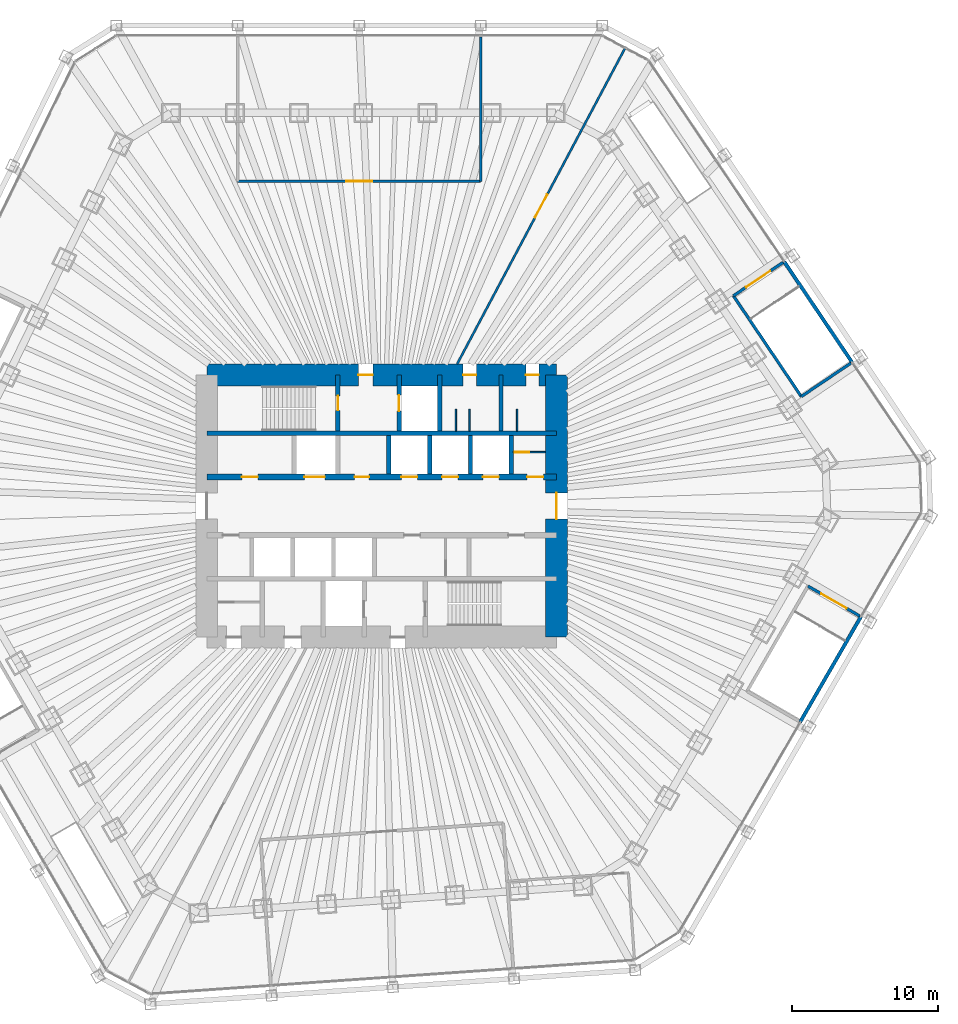
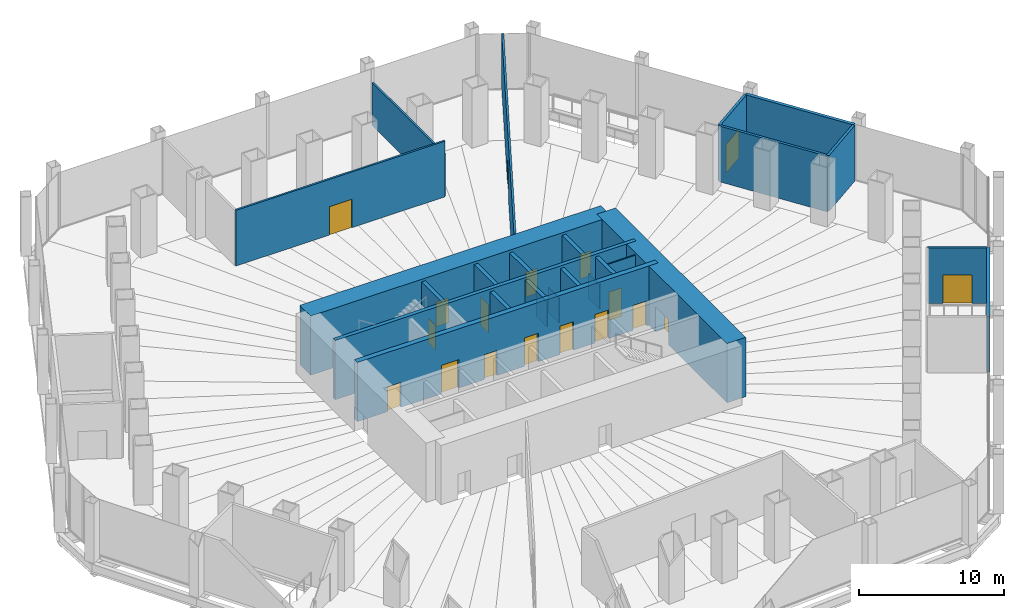
# One storey, part 16 of 18: 25 walls, 18 doors, 18 openings.
"""IFC4 building model written with IfcOpenShell, lengths in metres."""

from ifc_helpers import new_model, si_unit, direction, frame, frame_2d, origin, place, context, subcontext, project, spatial, rectangle, extrude, material, layer, layer_set, type_object, element, fill, save


model = new_model("IFC4")

# Units and contexts
model_context = context("Model", 3, precision=1e-05, world=origin(), true_north=direction((0.0, 1.0)))
body_context = subcontext(model_context, "Body", "Model", "MODEL_VIEW")
ifc_project = project(units=[si_unit("LENGTHUNIT", "METRE"), si_unit("AREAUNIT", "SQUARE_METRE"), si_unit("VOLUMEUNIT", "CUBIC_METRE"), si_unit("PLANEANGLEUNIT", "RADIAN"), si_unit("MASSUNIT", "GRAM", prefix="KILO")], contexts=[model_context])

# Site, building, storey
site_placement = place(None, origin())
site = spatial("IfcSite", under=ifc_project, at=site_placement, CompositionType="ELEMENT")
building_placement = place(site_placement, origin())
building = spatial("IfcBuilding", under=site, at=building_placement, Name="Qingtian Harvest Tower", CompositionType="ELEMENT")
storey_placement = place(building_placement, frame((0.0, 0.0, 12.0)))
storey = spatial("IfcBuildingStorey", under=building, at=storey_placement, Name="L02", CompositionType="ELEMENT", Elevation=12.0)

# Wall
ifc_material_1 = material(Name="Concrete fc' 70 MPa", Category="concrete")
ifc_layer_1 = layer(ifc_material_1, 0.300048828125)
ifc_layer_set_1 = layer_set([ifc_layer_1], Name="Core inner wall RC5 300")
wall_type_1 = type_object("IfcWallType", Name="Core inner wall RC5 300", PredefinedType="SHEAR", material=ifc_layer_set_1)
wall_1_placement = place(storey_placement, frame((-12.0, 5.0, 0.0), z_axis=(0.0, 0.0, 1.0), x_axis=(1.0, 0.0, 0.0)))
element("IfcWall", 1, at=wall_1_placement, inside=storey, type_object=wall_type_1, Name="Core wall IN5 L02", PredefinedType="SHEAR", context=body_context, shape_type="SweptSolid", body=[
    extrude(rectangle(XDim=24.0, YDim=0.300048828125, at=frame_2d((12.0, 0.0))), origin(), (0.0, 0.0, 1.0), 5.0),
])

# Wall, openings, doors
ifc_material_2 = material(Name="Concrete fc' 70 MPa", Category="concrete")
ifc_layer_2 = layer(ifc_material_2, 0.39990234375)
ifc_layer_set_2 = layer_set([ifc_layer_2], Name="Core inner web RC6 400")
wall_type_2 = type_object("IfcWallType", Name="Core inner web RC6 400", PredefinedType="SHEAR", material=ifc_layer_set_2)
wall_2_placement = place(storey_placement, frame((-12.0, 2.0, 0.0), z_axis=(0.0, 0.0, 1.0), x_axis=(1.0, 0.0, 0.0)))
wall_2 = element("IfcWall", 2, at=wall_2_placement, inside=storey, type_object=wall_type_2, Name="Core wall IN2 L02", PredefinedType="SHEAR", context=body_context, shape_type="SweptSolid", body=[
    extrude(rectangle(XDim=24.0, YDim=0.39990234375, at=frame_2d((12.0, 0.0))), origin(), (0.0, 0.0, 1.0), 5.0),
])
opening_1_placement = place(wall_2_placement, frame((2.39990234375, 0.0, 0.0)))
opening_1 = element("IfcOpeningElement", 3, at=opening_1_placement, cuts=wall_2, Name="Opening FD4", PredefinedType="OPENING", context=body_context, shape_type="SweptSolid", body=[
    extrude(rectangle(XDim=1.10009765625, YDim=2.10009765625, at=frame_2d((0.550048828125, 1.050048828125))), frame((0.0, 0.2099609375, 0.0), z_axis=(0.0, -1.0, 0.0), x_axis=(1.0, 0.0, 0.0)), (0.0, 0.0, 1.0), 0.419921875),
])
opening_2_placement = place(wall_2_placement, frame((22.0, 0.0, 0.0)))
opening_2 = element("IfcOpeningElement", 4, at=opening_2_placement, cuts=wall_2, Name="Opening FD4", PredefinedType="OPENING", context=body_context, shape_type="SweptSolid", body=[
    extrude(rectangle(XDim=1.10009765625, YDim=2.10009765625, at=frame_2d((0.550048828125, 1.050048828125))), frame((0.0, 0.2099609375, 0.0), z_axis=(0.0, -1.0, 0.0), x_axis=(1.0, 0.0, 0.0)), (0.0, 0.0, 1.0), 0.419921875),
])
opening_3_placement = place(wall_2_placement, frame((10.14990234375, 0.0, 0.0)))
opening_3 = element("IfcOpeningElement", 5, at=opening_3_placement, cuts=wall_2, Name="Opening FD1", PredefinedType="OPENING", context=body_context, shape_type="SweptSolid", body=[
    extrude(rectangle(XDim=1.0, YDim=2.10009765625, at=frame_2d((0.5, 1.050048828125))), frame((0.0, 0.2099609375, 0.0), z_axis=(0.0, -1.0, 0.0), x_axis=(1.0, 0.0, 0.0)), (0.0, 0.0, 1.0), 0.419921875),
])
opening_4_placement = place(wall_2_placement, frame((6.699951171875, 0.0, 0.0)))
opening_4 = element("IfcOpeningElement", 6, at=opening_4_placement, cuts=wall_2, Name="Opening LD2", PredefinedType="OPENING", context=body_context, shape_type="SweptSolid", body=[
    extrude(rectangle(XDim=1.39990234375, YDim=2.39990234375, at=frame_2d((0.699951171875, 1.199951171875))), frame((0.0, 0.2099609375, 0.0), z_axis=(0.0, -1.0, 0.0), x_axis=(1.0, 0.0, 0.0)), (0.0, 0.0, 1.0), 0.419921875),
])
opening_5_placement = place(wall_2_placement, frame((13.35009765625, 0.0, 0.0)))
opening_5 = element("IfcOpeningElement", 7, at=opening_5_placement, cuts=wall_2, Name="Opening LD1", PredefinedType="OPENING", context=body_context, shape_type="SweptSolid", body=[
    extrude(rectangle(XDim=1.10009765625, YDim=2.39990234375, at=frame_2d((0.550048828125, 1.199951171875))), frame((0.0, 0.2099609375, 0.0), z_axis=(0.0, -1.0, 0.0), x_axis=(1.0, 0.0, 0.0)), (0.0, 0.0, 1.0), 0.419921875),
])
opening_6_placement = place(wall_2_placement, frame((16.14990234375, 0.0, 0.0)))
opening_6 = element("IfcOpeningElement", 8, at=opening_6_placement, cuts=wall_2, Name="Opening LD1", PredefinedType="OPENING", context=body_context, shape_type="SweptSolid", body=[
    extrude(rectangle(XDim=1.10009765625, YDim=2.39990234375, at=frame_2d((0.550048828125, 1.199951171875))), frame((0.0, 0.2099609375, 0.0), z_axis=(0.0, -1.0, 0.0), x_axis=(1.0, 0.0, 0.0)), (0.0, 0.0, 1.0), 0.419921875),
])
opening_7_placement = place(wall_2_placement, frame((18.949951171875, 0.0, 0.0)))
opening_7 = element("IfcOpeningElement", 9, at=opening_7_placement, cuts=wall_2, Name="Opening LD1", PredefinedType="OPENING", context=body_context, shape_type="SweptSolid", body=[
    extrude(rectangle(XDim=1.10009765625, YDim=2.39990234375, at=frame_2d((0.550048828125, 1.199951171875))), frame((0.0, 0.2099609375, 0.0), z_axis=(0.0, -1.0, 0.0), x_axis=(1.0, 0.0, 0.0)), (0.0, 0.0, 1.0), 0.419921875),
])
ifc_material_3 = material(Name="Steel-faced door leaf", Category="steel")
door_type_1 = type_object("IfcDoorType", Name="Fire door FD1 single 1 HR", OperationType="SINGLE_SWING_LEFT", PredefinedType="DOOR", material=ifc_material_3)
door_1_placement = place(opening_3_placement, origin())
door_1 = element("IfcDoor", 10, at=door_1_placement, inside=storey, type_object=door_type_1, Name="STA door L02", OperationType="SINGLE_SWING_LEFT", OverallHeight=2.10009765625, OverallWidth=1.0, PredefinedType="DOOR", context=body_context, shape_type="SweptSolid", body=[
    extrude(rectangle(XDim=1.0, YDim=2.10009765625, at=frame_2d((0.5, 1.050048828125))), frame((0.0, 0.02490234375, 0.0), z_axis=(0.0, -1.0, 0.0), x_axis=(1.0, 0.0, 0.0)), (0.0, 0.0, 1.0), 0.050048828125),
])
fill(opening_3, door_1)
ifc_material_4 = material(Name="Steel-faced door leaf", Category="steel")
door_type_2 = type_object("IfcDoorType", Name="Fire door FD4 single 2 HR", OperationType="SINGLE_SWING_LEFT", PredefinedType="DOOR", material=ifc_material_4)
door_2_placement = place(opening_1_placement, origin())
door_2 = element("IfcDoor", 11, at=door_2_placement, inside=storey, type_object=door_type_2, Name="RA door L02", OperationType="SINGLE_SWING_LEFT", OverallHeight=2.10009765625, OverallWidth=1.10009765625, PredefinedType="DOOR", context=body_context, shape_type="SweptSolid", body=[
    extrude(rectangle(XDim=1.10009765625, YDim=2.10009765625, at=frame_2d((0.550048828125, 1.050048828125))), frame((0.0, 0.02490234375, 0.0), z_axis=(0.0, -1.0, 0.0), x_axis=(1.0, 0.0, 0.0)), (0.0, 0.0, 1.0), 0.050048828125),
])
fill(opening_1, door_2)
door_3_placement = place(opening_2_placement, origin())
door_3 = element("IfcDoor", 12, at=door_3_placement, inside=storey, type_object=door_type_2, Name="AHU door L02", OperationType="SINGLE_SWING_RIGHT", OverallHeight=2.10009765625, OverallWidth=1.10009765625, PredefinedType="DOOR", context=body_context, shape_type="SweptSolid", body=[
    extrude(rectangle(XDim=1.10009765625, YDim=2.10009765625, at=frame_2d((0.550048828125, 1.050048828125))), frame((0.0, 0.02490234375, 0.0), z_axis=(0.0, -1.0, 0.0), x_axis=(1.0, 0.0, 0.0)), (0.0, 0.0, 1.0), 0.050048828125),
])
fill(opening_2, door_3)
ifc_material_5 = material(Name="Stainless steel lift landing door", Category="steel")
door_type_3 = type_object("IfcDoorType", Name="Goods lift landing door LD2 1 HR", OperationType="DOUBLE_DOOR_SLIDING", PredefinedType="DOOR", material=ifc_material_5)
door_4_placement = place(opening_4_placement, origin())
door_4 = element("IfcDoor", 13, at=door_4_placement, inside=storey, type_object=door_type_3, Name="GL1 landing door L02", OperationType="DOUBLE_DOOR_SLIDING", OverallHeight=2.39990234375, OverallWidth=1.39990234375, PredefinedType="DOOR", context=body_context, shape_type="SweptSolid", body=[
    extrude(rectangle(XDim=1.39990234375, YDim=2.39990234375, at=frame_2d((0.699951171875, 1.199951171875))), frame((0.0, 0.02490234375, 0.0), z_axis=(0.0, -1.0, 0.0), x_axis=(1.0, 0.0, 0.0)), (0.0, 0.0, 1.0), 0.050048828125),
])
fill(opening_4, door_4)
ifc_material_6 = material(Name="Stainless steel lift landing door", Category="steel")
door_type_4 = type_object("IfcDoorType", Name="Lift landing door LD1 1 HR", OperationType="DOUBLE_DOOR_SLIDING", PredefinedType="DOOR", material=ifc_material_6)
door_5_placement = place(opening_5_placement, origin())
door_5 = element("IfcDoor", 14, at=door_5_placement, inside=storey, type_object=door_type_4, Name="PLA1 landing door L02", OperationType="DOUBLE_DOOR_SLIDING", OverallHeight=2.39990234375, OverallWidth=1.10009765625, PredefinedType="DOOR", context=body_context, shape_type="SweptSolid", body=[
    extrude(rectangle(XDim=1.10009765625, YDim=2.39990234375, at=frame_2d((0.550048828125, 1.199951171875))), frame((0.0, 0.02490234375, 0.0), z_axis=(0.0, -1.0, 0.0), x_axis=(1.0, 0.0, 0.0)), (0.0, 0.0, 1.0), 0.050048828125),
])
fill(opening_5, door_5)
door_6_placement = place(opening_6_placement, origin())
door_6 = element("IfcDoor", 15, at=door_6_placement, inside=storey, type_object=door_type_4, Name="PLA2 landing door L02", OperationType="DOUBLE_DOOR_SLIDING", OverallHeight=2.39990234375, OverallWidth=1.10009765625, PredefinedType="DOOR", context=body_context, shape_type="SweptSolid", body=[
    extrude(rectangle(XDim=1.10009765625, YDim=2.39990234375, at=frame_2d((0.550048828125, 1.199951171875))), frame((0.0, 0.02490234375, 0.0), z_axis=(0.0, -1.0, 0.0), x_axis=(1.0, 0.0, 0.0)), (0.0, 0.0, 1.0), 0.050048828125),
])
fill(opening_6, door_6)
door_7_placement = place(opening_7_placement, origin())
door_7 = element("IfcDoor", 16, at=door_7_placement, inside=storey, type_object=door_type_4, Name="PLA3 landing door L02", OperationType="DOUBLE_DOOR_SLIDING", OverallHeight=2.39990234375, OverallWidth=1.10009765625, PredefinedType="DOOR", context=body_context, shape_type="SweptSolid", body=[
    extrude(rectangle(XDim=1.10009765625, YDim=2.39990234375, at=frame_2d((0.550048828125, 1.199951171875))), frame((0.0, 0.02490234375, 0.0), z_axis=(0.0, -1.0, 0.0), x_axis=(1.0, 0.0, 0.0)), (0.0, 0.0, 1.0), 0.050048828125),
])
fill(opening_7, door_7)

# Wall, opening, door
ifc_material_7 = material(Name="Precast concrete shaft panel", Category="concrete")
ifc_layer_3 = layer(ifc_material_7, 0.300048828125)
ifc_layer_set_3 = layer_set([ifc_layer_3], Name="Core shaft partition SW1 300")
wall_type_3 = type_object("IfcWallType", Name="Core shaft partition SW1 300", PredefinedType="PARTITIONING", material=ifc_layer_set_3)
wall_3_placement = place(storey_placement, frame((-3.0, 5.14990234375, 0.0), z_axis=(0.0, 0.0, 1.0), x_axis=(0.0, 1.0, 0.0)))
wall_3 = element("IfcWall", 17, at=wall_3_placement, inside=storey, type_object=wall_type_3, Name="Core shaft partition XN1 L02", PredefinedType="PARTITIONING", context=body_context, shape_type="SweptSolid", body=[
    extrude(rectangle(XDim=3.85009765625, YDim=0.300048828125, at=frame_2d((1.925048828125, 0.0))), origin(), (0.0, 0.0, 1.0), 4.780029296875),
])
opening_8_placement = place(wall_3_placement, frame((1.425048828125, 0.0, 0.0)))
opening_8 = element("IfcOpeningElement", 18, at=opening_8_placement, cuts=wall_3, Name="Opening FD1", PredefinedType="OPENING", context=body_context, shape_type="SweptSolid", body=[
    extrude(rectangle(XDim=1.0, YDim=2.10009765625, at=frame_2d((0.5, 1.050048828125))), frame((0.0, 0.159912109375, 0.0), z_axis=(0.0, -1.0, 0.0), x_axis=(1.0, 0.0, 0.0)), (0.0, 0.0, 1.0), 0.320068359375),
])
door_8_placement = place(opening_8_placement, origin())
door_8 = element("IfcDoor", 19, at=door_8_placement, inside=storey, type_object=door_type_1, Name="S1 door L02", OperationType="SINGLE_SWING_RIGHT", OverallHeight=2.10009765625, OverallWidth=1.0, PredefinedType="DOOR", context=body_context, shape_type="SweptSolid", body=[
    extrude(rectangle(XDim=1.0, YDim=2.10009765625, at=frame_2d((0.5, 1.050048828125))), frame((0.0, 0.02490234375, 0.0), z_axis=(0.0, -1.0, 0.0), x_axis=(1.0, 0.0, 0.0)), (0.0, 0.0, 1.0), 0.050048828125),
])
fill(opening_8, door_8)

wall_4_placement = place(storey_placement, frame((1.199951171875, 5.14990234375, 0.0), z_axis=(0.0, 0.0, 1.0), x_axis=(0.0, 1.0, 0.0)))
wall_4 = element("IfcWall", 20, at=wall_4_placement, inside=storey, type_object=wall_type_3, Name="Core shaft partition XN2 L02", PredefinedType="PARTITIONING", context=body_context, shape_type="SweptSolid", body=[
    extrude(rectangle(XDim=3.85009765625, YDim=0.300048828125, at=frame_2d((1.925048828125, 0.0))), origin(), (0.0, 0.0, 1.0), 4.780029296875),
])
opening_9_placement = place(wall_4_placement, frame((1.375, 0.0, 0.0)))
opening_9 = element("IfcOpeningElement", 21, at=opening_9_placement, cuts=wall_4, Name="Opening LD1", PredefinedType="OPENING", context=body_context, shape_type="SweptSolid", body=[
    extrude(rectangle(XDim=1.10009765625, YDim=2.39990234375, at=frame_2d((0.550048828125, 1.199951171875))), frame((0.0, 0.159912109375, 0.0), z_axis=(0.0, -1.0, 0.0), x_axis=(1.0, 0.0, 0.0)), (0.0, 0.0, 1.0), 0.320068359375),
])
door_9_placement = place(opening_9_placement, origin())
door_9 = element("IfcDoor", 22, at=door_9_placement, inside=storey, type_object=door_type_4, Name="FL1 landing door L02", OperationType="DOUBLE_DOOR_SLIDING", OverallHeight=2.39990234375, OverallWidth=1.10009765625, PredefinedType="DOOR", context=body_context, shape_type="SweptSolid", body=[
    extrude(rectangle(XDim=1.10009765625, YDim=2.39990234375, at=frame_2d((0.550048828125, 1.199951171875))), frame((0.0, 0.02490234375, 0.0), z_axis=(0.0, -1.0, 0.0), x_axis=(1.0, 0.0, 0.0)), (0.0, 0.0, 1.0), 0.050048828125),
])
fill(opening_9, door_9)

# Walls
for number, where, z_axis, x_axis, name in (
    (23, (4.0, 5.14990234375, 0.0), (0.0, 0.0, 1.0), (0.0, 1.0, 0.0), "Core shaft partition XN3 L02"),
    (24, (8.199951171875, 5.14990234375, 0.0), (0.0, 0.0, 1.0), (0.0, 1.0, 0.0), "Core shaft partition XN4 L02"),
):
    element("IfcWall", number, at=place(storey_placement, frame(where, z_axis=z_axis, x_axis=x_axis)), inside=storey, type_object=wall_type_3, Name=name, PredefinedType="PARTITIONING", context=body_context, shape_type="SweptSolid", body=[
        extrude(rectangle(XDim=3.85009765625, YDim=0.300048828125, at=frame_2d((1.925048828125, 0.0))), origin(), (0.0, 0.0, 1.0), 4.780029296875),
    ])
for number, where, z_axis, x_axis, name in (
    (25, (0.5, 2.199951171875, 0.0), (0.0, 0.0, 1.0), (0.0, 1.0, 0.0), "Core shaft partition XA3 L02"),
    (26, (3.300048828125, 2.199951171875, 0.0), (0.0, 0.0, 1.0), (0.0, 1.0, 0.0), "Core shaft partition XA4 L02"),
    (27, (6.10009765625, 2.199951171875, 0.0), (0.0, 0.0, 1.0), (0.0, 1.0, 0.0), "Core shaft partition XA5 L02"),
    (28, (8.89990234375, 2.199951171875, 0.0), (0.0, 0.0, 1.0), (0.0, 1.0, 0.0), "Core shaft partition XA6 L02"),
):
    element("IfcWall", number, at=place(storey_placement, frame(where, z_axis=z_axis, x_axis=x_axis)), inside=storey, type_object=wall_type_3, Name=name, PredefinedType="PARTITIONING", context=body_context, shape_type="SweptSolid", body=[
        extrude(rectangle(XDim=2.650146484375, YDim=0.300048828125, at=frame_2d((1.3251953125, 0.0))), origin(), (0.0, 0.0, 1.0), 4.780029296875),
    ])

# Wall, openings, doors
ifc_material_8 = material(Name="Concrete fc' 70 MPa", Category="concrete")
ifc_layer_4 = layer(ifc_material_8, 1.5)
ifc_layer_set_4 = layer_set([ifc_layer_4], Name="Core wall RC1 1500")
wall_type_4 = type_object("IfcWallType", Name="Core wall RC1 1500", PredefinedType="SHEAR", material=ifc_layer_set_4)
wall_5_placement = place(storey_placement, frame((-12.0, 9.0, 0.0), z_axis=(0.0, 0.0, 1.0), x_axis=(1.0, 0.0, 0.0)))
wall_5 = element("IfcWall", 29, at=wall_5_placement, inside=storey, type_object=wall_type_4, Name="Core wall CN L02", PredefinedType="SHEAR", context=body_context, shape_type="SweptSolid", body=[
    extrude(rectangle(XDim=24.0, YDim=1.5, at=frame_2d((12.0, 0.0))), origin(), (0.0, 0.0, 1.0), 5.0),
])
opening_10_placement = place(wall_5_placement, frame((10.39990234375, 0.0, 0.0)))
opening_10 = element("IfcOpeningElement", 30, at=opening_10_placement, cuts=wall_5, Name="Opening FD1", PredefinedType="OPENING", context=body_context, shape_type="SweptSolid", body=[
    extrude(rectangle(XDim=1.0, YDim=2.10009765625, at=frame_2d((0.5, 1.050048828125))), frame((0.0, 0.760009765625, 0.0), z_axis=(0.0, -1.0, 0.0), x_axis=(1.0, 0.0, 0.0)), (0.0, 0.0, 1.0), 1.52001953125),
])
opening_11_placement = place(wall_5_placement, frame((17.60009765625, 0.0, 0.0)))
opening_11 = element("IfcOpeningElement", 31, at=opening_11_placement, cuts=wall_5, Name="Opening D1", PredefinedType="OPENING", context=body_context, shape_type="SweptSolid", body=[
    extrude(rectangle(XDim=0.89990234375, YDim=2.10009765625, at=frame_2d((0.449951171875, 1.050048828125))), frame((0.0, 0.760009765625, 0.0), z_axis=(0.0, -1.0, 0.0), x_axis=(1.0, 0.0, 0.0)), (0.0, 0.0, 1.0), 1.52001953125),
])
opening_12_placement = place(wall_5_placement, frame((21.89990234375, 0.0, 0.0)))
opening_12 = element("IfcOpeningElement", 32, at=opening_12_placement, cuts=wall_5, Name="Opening D1", PredefinedType="OPENING", context=body_context, shape_type="SweptSolid", body=[
    extrude(rectangle(XDim=0.89990234375, YDim=2.10009765625, at=frame_2d((0.449951171875, 1.050048828125))), frame((0.0, 0.760009765625, 0.0), z_axis=(0.0, -1.0, 0.0), x_axis=(1.0, 0.0, 0.0)), (0.0, 0.0, 1.0), 1.52001953125),
])
door_10_placement = place(opening_10_placement, origin())
door_10 = element("IfcDoor", 33, at=door_10_placement, inside=storey, type_object=door_type_1, Name="V1 door L02", OperationType="SINGLE_SWING_LEFT", OverallHeight=2.10009765625, OverallWidth=1.0, PredefinedType="DOOR", context=body_context, shape_type="SweptSolid", body=[
    extrude(rectangle(XDim=1.0, YDim=2.10009765625, at=frame_2d((0.5, 1.050048828125))), frame((0.0, 0.02490234375, 0.0), z_axis=(0.0, -1.0, 0.0), x_axis=(1.0, 0.0, 0.0)), (0.0, 0.0, 1.0), 0.050048828125),
])
fill(opening_10, door_10)
ifc_material_9 = material(Name="Laminated timber door leaf", Category="wood")
door_type_5 = type_object("IfcDoorType", Name="Toilet door D1 single", OperationType="SINGLE_SWING_LEFT", PredefinedType="DOOR", material=ifc_material_9)
door_11_placement = place(opening_11_placement, origin())
door_11 = element("IfcDoor", 34, at=door_11_placement, inside=storey, type_object=door_type_5, Name="WCM door L02", OperationType="SINGLE_SWING_LEFT", OverallHeight=2.10009765625, OverallWidth=0.89990234375, PredefinedType="DOOR", context=body_context, shape_type="SweptSolid", body=[
    extrude(rectangle(XDim=0.89990234375, YDim=2.10009765625, at=frame_2d((0.449951171875, 1.050048828125))), frame((0.0, 0.02490234375, 0.0), z_axis=(0.0, -1.0, 0.0), x_axis=(1.0, 0.0, 0.0)), (0.0, 0.0, 1.0), 0.050048828125),
])
fill(opening_11, door_11)
door_12_placement = place(opening_12_placement, origin())
door_12 = element("IfcDoor", 35, at=door_12_placement, inside=storey, type_object=door_type_5, Name="WCF door L02", OperationType="SINGLE_SWING_LEFT", OverallHeight=2.10009765625, OverallWidth=0.89990234375, PredefinedType="DOOR", context=body_context, shape_type="SweptSolid", body=[
    extrude(rectangle(XDim=0.89990234375, YDim=2.10009765625, at=frame_2d((0.449951171875, 1.050048828125))), frame((0.0, 0.02490234375, 0.0), z_axis=(0.0, -1.0, 0.0), x_axis=(1.0, 0.0, 0.0)), (0.0, 0.0, 1.0), 0.050048828125),
])
fill(opening_12, door_12)

# Wall, opening, door
wall_6_placement = place(storey_placement, frame((12.0, -9.0, 0.0), z_axis=(0.0, 0.0, 1.0), x_axis=(0.0, 1.0, 0.0)))
wall_6 = element("IfcWall", 36, at=wall_6_placement, inside=storey, type_object=wall_type_4, Name="Core wall CE L02", PredefinedType="SHEAR", context=body_context, shape_type="SweptSolid", body=[
    extrude(rectangle(XDim=18.0, YDim=1.5, at=frame_2d((9.0, 0.0))), origin(), (0.0, 0.0, 1.0), 5.0),
])
opening_13_placement = place(wall_6_placement, frame((8.10009765625, 0.0, 0.0)))
opening_13 = element("IfcOpeningElement", 37, at=opening_13_placement, cuts=wall_6, Name="Opening FD2", PredefinedType="OPENING", context=body_context, shape_type="SweptSolid", body=[
    extrude(rectangle(XDim=1.800048828125, YDim=2.10009765625, at=frame_2d((0.89990234375, 1.050048828125))), frame((0.0, 0.760009765625, 0.0), z_axis=(0.0, -1.0, 0.0), x_axis=(1.0, 0.0, 0.0)), (0.0, 0.0, 1.0), 1.52001953125),
])
ifc_material_10 = material(Name="Steel-faced door leaf", Category="steel")
door_type_6 = type_object("IfcDoorType", Name="Fire door FD2 double 1 HR", OperationType="DOUBLE_DOOR_DOUBLE_SWING", PredefinedType="DOOR", material=ifc_material_10)
door_13_placement = place(opening_13_placement, origin())
door_13 = element("IfcDoor", 38, at=door_13_placement, inside=storey, type_object=door_type_6, Name="LOBBY-E door L02", OperationType="DOUBLE_DOOR_DOUBLE_SWING", OverallHeight=2.10009765625, OverallWidth=1.800048828125, PredefinedType="DOOR", context=body_context, shape_type="SweptSolid", body=[
    extrude(rectangle(XDim=1.800048828125, YDim=2.10009765625, at=frame_2d((0.89990234375, 1.050048828125))), frame((0.0, 0.02490234375, 0.0), z_axis=(0.0, -1.0, 0.0), x_axis=(1.0, 0.0, 0.0)), (0.0, 0.0, 1.0), 0.050048828125),
])
fill(opening_13, door_13)

# Walls
ifc_material_11 = material(Name="Bronze-clad steel-framed screen wall with fire-rated lining", Category="steel")
ifc_layer_5 = layer(ifc_material_11, 0.25)
ifc_layer_set_5 = layer_set([ifc_layer_5], Name="Facade door bay wall FW2 250")
wall_type_5 = type_object("IfcWallType", Name="Facade door bay wall FW2 250", PredefinedType="SOLIDWALL", material=ifc_layer_set_5)
wall_7_placement = place(storey_placement, frame((27.637451171875, 16.78759765625, 0.0), z_axis=(0.0, 0.0, 1.0), x_axis=(0.559196871021, -0.829034896395, 0.0)))
element("IfcWall", 39, at=wall_7_placement, inside=storey, type_object=wall_type_5, Name="Exit stair wall bay NE2", PredefinedType="SOLIDWALL", context=body_context, shape_type="SweptSolid", body=[
    extrude(rectangle(XDim=8.342041015625, YDim=0.25, at=frame_2d((4.1708984375, 0.0))), origin(), (0.0, 0.0, 1.0), 4.699951171875),
])
wall_8_placement = place(storey_placement, frame((32.912109375, -7.5947265625, 0.0), z_axis=(0.0, 0.0, 1.0), x_axis=(-0.500004511595, -0.866022798998, 0.0)))
element("IfcWall", 40, at=wall_8_placement, inside=storey, type_object=wall_type_5, Name="Exit stair wall bay SE1", PredefinedType="SOLIDWALL", context=body_context, shape_type="SweptSolid", body=[
    extrude(rectangle(XDim=8.341796875, YDim=0.25, at=frame_2d((4.1708984375, 0.0))), origin(), (0.0, 0.0, 1.0), 4.699951171875),
])

# Wall, opening, door
ifc_material_12 = material(Name="Blockwork fire wall", Category="masonry")
ifc_layer_6 = layer(ifc_material_12, 0.199951171875)
ifc_layer_set_6 = layer_set([ifc_layer_6], Name="Fire partition FW1 200")
wall_type_6 = type_object("IfcWallType", Name="Fire partition FW1 200", PredefinedType="PARTITIONING", material=ifc_layer_set_6)
wall_9_placement = place(storey_placement, frame((27.5546875, 16.731689453125, 0.0), z_axis=(0.0, 0.0, 1.0), x_axis=(-0.829042598749, -0.55918545176, 0.0)))
wall_9 = element("IfcWall", 41, at=wall_9_placement, inside=storey, type_object=wall_type_6, Name="Exit stair P1 enclosure L02", PredefinedType="PARTITIONING", context=body_context, shape_type="SweptSolid", body=[
    extrude(rectangle(XDim=4.10009765625, YDim=0.199951171875, at=frame_2d((2.050048828125, 0.0))), origin(), (0.0, 0.0, 1.0), 4.699951171875),
])
opening_14_placement = place(wall_9_placement, frame((1.050048828125, 0.0, 0.0)))
opening_14 = element("IfcOpeningElement", 42, at=opening_14_placement, cuts=wall_9, Name="Opening FD3", PredefinedType="OPENING", context=body_context, shape_type="SweptSolid", body=[
    extrude(rectangle(XDim=2.0, YDim=2.39990234375, at=frame_2d((1.0, 1.199951171875))), frame((0.0, 0.10986328125, 0.0), z_axis=(0.0, -1.0, 0.0), x_axis=(1.0, 0.0, 0.0)), (0.0, 0.0, 1.0), 0.219970703125),
])
ifc_material_13 = material(Name="Steel-faced door leaf", Category="steel")
door_type_7 = type_object("IfcDoorType", Name="Fire door FD3 double 2 HR", OperationType="DOUBLE_DOOR_DOUBLE_SWING", PredefinedType="DOOR", material=ifc_material_13)
door_14_placement = place(opening_14_placement, origin())
door_14 = element("IfcDoor", 43, at=door_14_placement, inside=storey, type_object=door_type_7, Name="Exit stair P1 door L02", OperationType="DOUBLE_DOOR_DOUBLE_SWING", OverallHeight=2.39990234375, OverallWidth=2.0, PredefinedType="DOOR", context=body_context, shape_type="SweptSolid", body=[
    extrude(rectangle(XDim=2.0, YDim=2.39990234375, at=frame_2d((1.0, 1.199951171875))), frame((0.0, 0.02490234375, 0.0), z_axis=(0.0, -1.0, 0.0), x_axis=(1.0, 0.0, 0.0)), (0.0, 0.0, 1.0), 0.050048828125),
])
fill(opening_14, door_14)

# Walls
wall_10_placement = place(storey_placement, frame((32.21923828125, 9.81591796875, 0.0), z_axis=(0.0, 0.0, 1.0), x_axis=(-0.829070202957, -0.559144523865, 0.0)))
element("IfcWall", 44, at=wall_10_placement, inside=storey, type_object=wall_type_6, Name="Exit stair P1 enclosure L02", PredefinedType="PARTITIONING", context=body_context, shape_type="SweptSolid", body=[
    extrude(rectangle(XDim=4.10009765625, YDim=0.199951171875, at=frame_2d((2.050048828125, 0.0))), origin(), (0.0, 0.0, 1.0), 4.699951171875),
])
wall_11_placement = place(storey_placement, frame((24.155517578125, 14.43896484375, 0.0), z_axis=(0.0, 0.0, 1.0), x_axis=(0.559190323649, -0.829039312661, 0.0)))
element("IfcWall", 45, at=wall_11_placement, inside=storey, type_object=wall_type_6, Name="Exit stair P1 enclosure L02", PredefinedType="PARTITIONING", context=body_context, shape_type="SweptSolid", body=[
    extrude(rectangle(XDim=8.341552734375, YDim=0.199951171875, at=frame_2d((4.1708984375, 0.0))), origin(), (0.0, 0.0, 1.0), 4.699951171875),
])

# Wall, opening, door
wall_12_placement = place(storey_placement, frame((32.825439453125, -7.544677734375, 0.0), z_axis=(0.0, 0.0, 1.0), x_axis=(-0.8660249478, 0.500000789788, 0.0)))
wall_12 = element("IfcWall", 46, at=wall_12_placement, inside=storey, type_object=wall_type_6, Name="Exit stair P2 enclosure L02", PredefinedType="PARTITIONING", context=body_context, shape_type="SweptSolid", body=[
    extrude(rectangle(XDim=4.10009765625, YDim=0.199951171875, at=frame_2d((2.050048828125, 0.0))), origin(), (0.0, 0.0, 1.0), 4.699951171875),
])
opening_15_placement = place(wall_12_placement, frame((1.050048828125, 0.0, 0.0)))
opening_15 = element("IfcOpeningElement", 47, at=opening_15_placement, cuts=wall_12, Name="Opening FD3", PredefinedType="OPENING", context=body_context, shape_type="SweptSolid", body=[
    extrude(rectangle(XDim=2.0, YDim=2.39990234375, at=frame_2d((1.0, 1.199951171875))), frame((0.0, 0.10986328125, 0.0), z_axis=(0.0, -1.0, 0.0), x_axis=(1.0, 0.0, 0.0)), (0.0, 0.0, 1.0), 0.219970703125),
])
door_15_placement = place(opening_15_placement, origin())
door_15 = element("IfcDoor", 48, at=door_15_placement, inside=storey, type_object=door_type_7, Name="Exit stair P2 door L02", OperationType="DOUBLE_DOOR_DOUBLE_SWING", OverallHeight=2.39990234375, OverallWidth=2.0, PredefinedType="DOOR", context=body_context, shape_type="SweptSolid", body=[
    extrude(rectangle(XDim=2.0, YDim=2.39990234375, at=frame_2d((1.0, 1.199951171875))), frame((0.0, 0.02490234375, 0.0), z_axis=(0.0, -1.0, 0.0), x_axis=(1.0, 0.0, 0.0)), (0.0, 0.0, 1.0), 0.050048828125),
])
fill(opening_15, door_15)

# Wall
ifc_material_14 = material(Name="Gypsum board on steel studs", Category="steel")
ifc_layer_7 = layer(ifc_material_14, 0.14990234375)
ifc_layer_set_7 = layer_set([ifc_layer_7], Name="Partition PT1 150")
wall_type_7 = type_object("IfcWallType", Name="Partition PT1 150", PredefinedType="PARTITIONING", material=ifc_layer_set_7)
wall_13_placement = place(storey_placement, frame((6.8046875, 32.199951171875, 0.0), z_axis=(0.0, 0.0, 1.0), x_axis=(0.0, -1.0, 0.0)))
element("IfcWall", 49, at=wall_13_placement, inside=storey, type_object=wall_type_7, Name="Cooking school wall L02", PredefinedType="PARTITIONING", context=body_context, shape_type="SweptSolid", body=[
    extrude(rectangle(XDim=9.89990234375, YDim=0.14990234375, at=frame_2d((4.949951171875, 0.0))), origin(), (0.0, 0.0, 1.0), 3.60009765625),
])

# Wall, opening, door
wall_14_placement = place(storey_placement, frame((-9.87890625, 22.300048828125, 0.0), z_axis=(0.0, 0.0, 1.0), x_axis=(1.0, 0.0, 0.0)))
wall_14 = element("IfcWall", 50, at=wall_14_placement, inside=storey, type_object=wall_type_7, Name="Cooking school wall L02", PredefinedType="PARTITIONING", context=body_context, shape_type="SweptSolid", body=[
    extrude(rectangle(XDim=16.68359375, YDim=0.14990234375, at=frame_2d((8.341796875, 0.0))), origin(), (0.0, 0.0, 1.0), 4.699951171875),
])
opening_16_placement = place(wall_14_placement, frame((7.44189453125, 0.0, 0.0)))
opening_16 = element("IfcOpeningElement", 51, at=opening_16_placement, cuts=wall_14, Name="Opening D3", PredefinedType="OPENING", context=body_context, shape_type="SweptSolid", body=[
    extrude(rectangle(XDim=1.800048828125, YDim=2.39990234375, at=frame_2d((0.89990234375, 1.199951171875))), frame((0.0, 0.0849609375, 0.0), z_axis=(0.0, -1.0, 0.0), x_axis=(1.0, 0.0, 0.0)), (0.0, 0.0, 1.0), 0.169921875),
])
ifc_material_15 = material(Name="Laminated timber door leaf", Category="wood")
door_type_8 = type_object("IfcDoorType", Name="Room door D3 double", OperationType="DOUBLE_DOOR_DOUBLE_SWING", PredefinedType="DOOR", material=ifc_material_15)
door_16_placement = place(opening_16_placement, origin())
door_16 = element("IfcDoor", 52, at=door_16_placement, inside=storey, type_object=door_type_8, Name="Cooking school door L02", OperationType="DOUBLE_DOOR_DOUBLE_SWING", OverallHeight=2.39990234375, OverallWidth=1.800048828125, PredefinedType="DOOR", context=body_context, shape_type="SweptSolid", body=[
    extrude(rectangle(XDim=1.800048828125, YDim=2.39990234375, at=frame_2d((0.89990234375, 1.199951171875))), frame((0.0, 0.02490234375, 0.0), z_axis=(0.0, -1.0, 0.0), x_axis=(1.0, 0.0, 0.0)), (0.0, 0.0, 1.0), 0.050048828125),
])
fill(opening_16, door_16)

wall_15_placement = place(storey_placement, frame((5.18408203125, 9.75, 0.0), z_axis=(0.0, 0.0, 1.0), x_axis=(0.469474147629, 0.882946218469, 0.0)))
wall_15 = element("IfcWall", 53, at=wall_15_placement, inside=storey, type_object=wall_type_7, Name="Hall dividing wall L02", PredefinedType="PARTITIONING", context=body_context, shape_type="SweptSolid", body=[
    extrude(rectangle(XDim=24.587646484375, YDim=0.14990234375, at=frame_2d((12.2939453125, 0.0))), origin(), (0.0, 0.0, 1.0), 4.699951171875),
])
opening_17_placement = place(wall_15_placement, frame((11.393798828125, 0.0, 0.0)))
opening_17 = element("IfcOpeningElement", 54, at=opening_17_placement, cuts=wall_15, Name="Opening D3", PredefinedType="OPENING", context=body_context, shape_type="SweptSolid", body=[
    extrude(rectangle(XDim=1.800048828125, YDim=2.39990234375, at=frame_2d((0.89990234375, 1.199951171875))), frame((0.0, 0.0849609375, 0.0), z_axis=(0.0, -1.0, 0.0), x_axis=(1.0, 0.0, 0.0)), (0.0, 0.0, 1.0), 0.169921875),
])
door_17_placement = place(opening_17_placement, origin())
door_17 = element("IfcDoor", 55, at=door_17_placement, inside=storey, type_object=door_type_8, Name="Hall door L02", OperationType="DOUBLE_DOOR_DOUBLE_SWING", OverallHeight=2.39990234375, OverallWidth=1.800048828125, PredefinedType="DOOR", context=body_context, shape_type="SweptSolid", body=[
    extrude(rectangle(XDim=1.800048828125, YDim=2.39990234375, at=frame_2d((0.89990234375, 1.199951171875))), frame((0.0, 0.02490234375, 0.0), z_axis=(0.0, -1.0, 0.0), x_axis=(1.0, 0.0, 0.0)), (0.0, 0.0, 1.0), 0.050048828125),
])
fill(opening_17, door_17)

ifc_material_16 = material(Name="Concrete block partition", Category="concrete")
ifc_layer_8 = layer(ifc_material_16, 0.10009765625)
ifc_layer_set_8 = layer_set([ifc_layer_8], Name="Store partition PT3 100")
wall_type_8 = type_object("IfcWallType", Name="Store partition PT3 100", PredefinedType="PARTITIONING", material=ifc_layer_set_8)
wall_16_placement = place(storey_placement, frame((9.050048828125, 3.699951171875, 0.0), z_axis=(0.0, 0.0, 1.0), x_axis=(1.0, 0.0, 0.0)))
wall_16 = element("IfcWall", 56, at=wall_16_placement, inside=storey, type_object=wall_type_8, Name="Filter plant room wall L02", PredefinedType="PARTITIONING", context=body_context, shape_type="SweptSolid", body=[
    extrude(rectangle(XDim=2.199951171875, YDim=0.10009765625, at=frame_2d((1.10009765625, 0.0))), origin(), (0.0, 0.0, 1.0), 4.780029296875),
])
opening_18_placement = place(wall_16_placement, frame((0.10009765625, 0.0, 0.0)))
opening_18 = element("IfcOpeningElement", 57, at=opening_18_placement, cuts=wall_16, Name="Opening D2", PredefinedType="OPENING", context=body_context, shape_type="SweptSolid", body=[
    extrude(rectangle(XDim=1.0, YDim=2.39990234375, at=frame_2d((0.5, 1.199951171875))), frame((0.0, 0.06005859375, 0.0), z_axis=(0.0, -1.0, 0.0), x_axis=(1.0, 0.0, 0.0)), (0.0, 0.0, 1.0), 0.1201171875),
])
ifc_material_17 = material(Name="Laminated timber door leaf", Category="wood")
door_type_9 = type_object("IfcDoorType", Name="Room door D2 single", OperationType="SINGLE_SWING_LEFT", PredefinedType="DOOR", material=ifc_material_17)
door_18_placement = place(opening_18_placement, origin())
door_18 = element("IfcDoor", 58, at=door_18_placement, inside=storey, type_object=door_type_9, Name="Filter plant room door L02", OperationType="SINGLE_SWING_RIGHT", OverallHeight=2.39990234375, OverallWidth=1.0, PredefinedType="DOOR", context=body_context, shape_type="SweptSolid", body=[
    extrude(rectangle(XDim=1.0, YDim=2.39990234375, at=frame_2d((0.5, 1.199951171875))), frame((0.0, 0.02490234375, 0.0), z_axis=(0.0, -1.0, 0.0), x_axis=(1.0, 0.0, 0.0)), (0.0, 0.0, 1.0), 0.050048828125),
])
fill(opening_18, door_18)

# Walls
ifc_material_18 = material(Name="Compact laminate cubicle partition", Category="plastic")
ifc_layer_9 = layer(ifc_material_18, 0.10009765625)
ifc_layer_set_9 = layer_set([ifc_layer_9], Name="WC cubicle partition WP1 100")
wall_type_9 = type_object("IfcWallType", Name="WC cubicle partition WP1 100", PredefinedType="PARTITIONING", material=ifc_layer_set_9)
for number, where, z_axis, x_axis, name in (
    (59, (5.10009765625, 5.14990234375, 0.0), (0.0, 0.0, 1.0), (0.0, 1.0, 0.0), "WC cubicle partition WCM L02"),
    (60, (6.050048828125, 5.14990234375, 0.0), (0.0, 0.0, 1.0), (0.0, 1.0, 0.0), "WC cubicle partition WCM L02"),
    (61, (9.300048828125, 5.14990234375, 0.0), (0.0, 0.0, 1.0), (0.0, 1.0, 0.0), "WC cubicle partition WCF L02"),
):
    element("IfcWall", number, at=place(storey_placement, frame(where, z_axis=z_axis, x_axis=x_axis)), inside=storey, type_object=wall_type_9, Name=name, PredefinedType="PARTITIONING", context=body_context, shape_type="SweptSolid", body=[
        extrude(rectangle(XDim=1.5, YDim=0.10009765625, at=frame_2d((0.75, 0.0))), origin(), (0.0, 0.0, 1.0), 2.10009765625),
    ])

save(model, "model.ifc")
